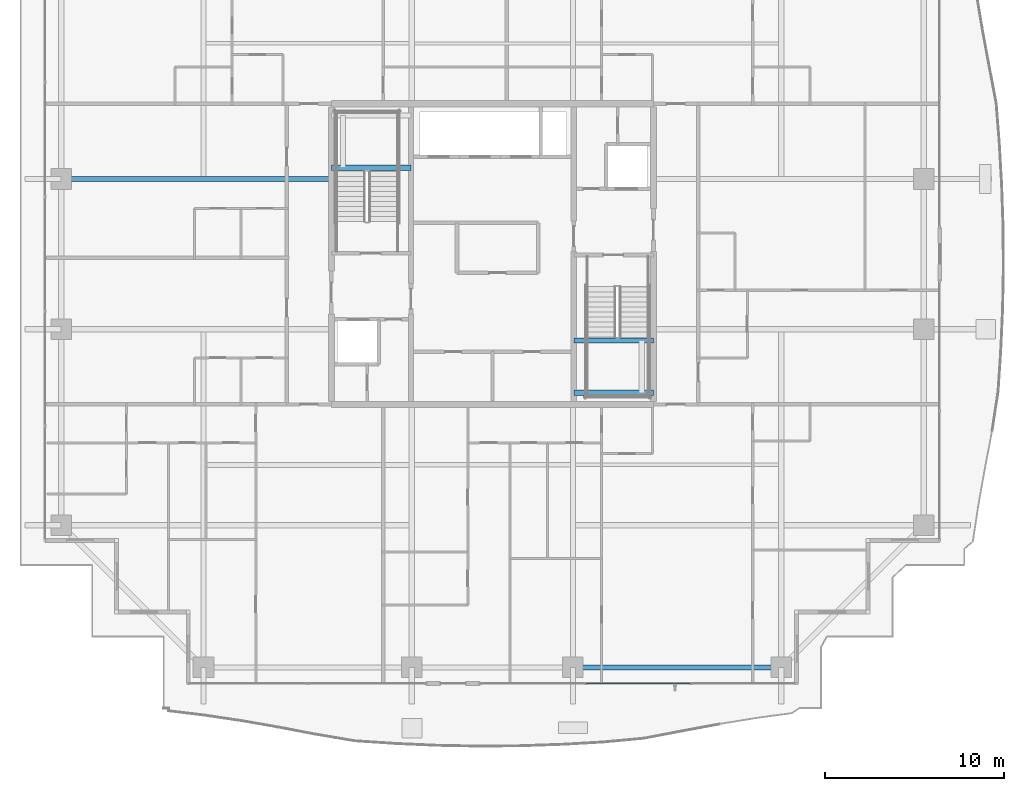
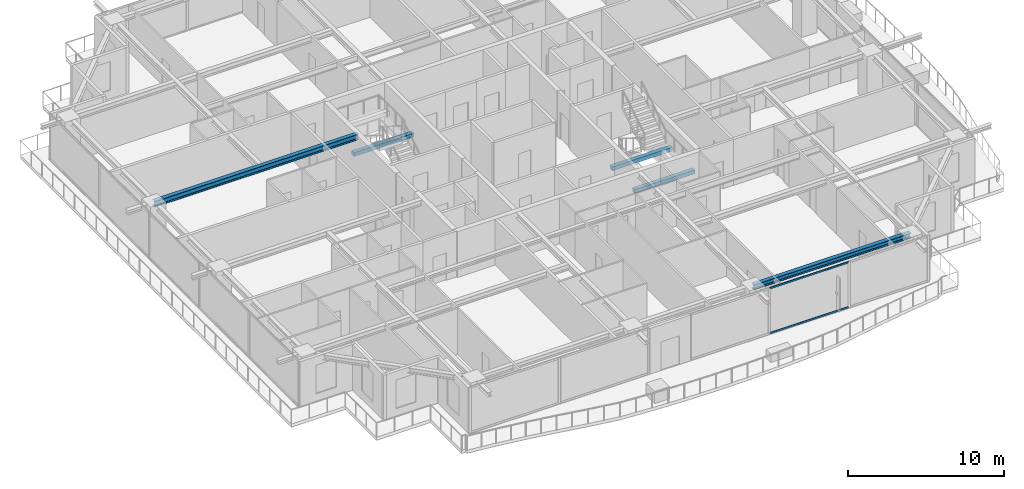
# One storey, part 10 of 37: 5 beams, 2 members, 1 element without a shape of its own.
"""IFC4 building model written with IfcOpenShell, lengths in metres."""

from ifc_helpers import new_model, si_unit, direction, frame, origin, origin_2d, place, context, subcontext, project, spatial, rectangle, hollow_rectangle, i_section, extrude, source, transform, mapped, material, layer, layer_set, material_profile, profile_set, type_object, element, aggregate, save


model = new_model("IFC4")

# Units and contexts
model_context = context("Model", 3, precision=1e-05, world=origin(), true_north=direction((0.0, 1.0)))
body_context = subcontext(model_context, "Body", "Model", "MODEL_VIEW")
ifc_project = project(units=[si_unit("LENGTHUNIT", "METRE"), si_unit("AREAUNIT", "SQUARE_METRE"), si_unit("VOLUMEUNIT", "CUBIC_METRE"), si_unit("PLANEANGLEUNIT", "RADIAN"), si_unit("MASSUNIT", "GRAM", prefix="KILO")], contexts=[model_context])

# Site, building, storey
site_placement = place(None, origin())
site = spatial("IfcSite", under=ifc_project, at=site_placement, CompositionType="ELEMENT")
building_placement = place(site_placement, origin())
building = spatial("IfcBuilding", under=site, at=building_placement, Name="Serunith Strait Residences", CompositionType="ELEMENT")
storey_placement = place(building_placement, frame((0.0, 0.0, 275.89990234375)))
storey = spatial("IfcBuildingStorey", under=building, at=storey_placement, Name="L69", CompositionType="ELEMENT", Elevation=275.89990234375)

# Beams
ifc_material_1 = material(Name="Steel S355J2", Category="steel")
ifc_material_profile_1 = material_profile(ifc_material_1, i_section(OverallWidth=0.300048828125, OverallDepth=0.449951171875, WebThickness=0.013916015625, FlangeThickness=0.02587890625, FilletRadius=0.027099609375, at=origin_2d()), Name="HEB 450")
ifc_profile_set_1 = profile_set([ifc_material_profile_1], Name="Steel S355J2")
beam_type_1 = type_object("IfcBeamType", Name="BM-HEB450", PredefinedType="BEAM", material=ifc_profile_set_1)
shared_shape_1 = source(origin(), body_context, "Body", "SweptSolid", [
    extrude(i_section(OverallWidth=0.300048828125, OverallDepth=0.449951171875, WebThickness=0.013916015625, FlangeThickness=0.02587890625, FilletRadius=0.027099609375, at=origin_2d()), origin(), (0.0, 0.0, 1.0), 15.099853515625),
])
beam_1_placement = place(storey_placement, frame((23.39990234375, 29.39990234375, 3.362060546875), z_axis=(-1.0, 0.0, 0.0), x_axis=(0.0, -1.0, 0.0)))
element("IfcBeam", 1, at=beam_1_placement, inside=storey, type_object=beam_type_1, Name="L69 Primary Floor Girder TC-W3", PredefinedType="BEAM", context=body_context, shape_type="MappedRepresentation", body=[
    mapped(shared_shape_1, transform((0.0, 0.0, 0.0), scale=1.0)),
])
ifc_material_profile_2 = material_profile(ifc_material_1, i_section(OverallWidth=0.300048828125, OverallDepth=0.39990234375, WebThickness=0.013427734375, FlangeThickness=0.02392578125, FilletRadius=0.027099609375, at=origin_2d()), Name="HEB 400")
ifc_profile_set_2 = profile_set([ifc_material_profile_2], Name="Steel S355J2")
beam_type_2 = type_object("IfcBeamType", Name="BM-HEB400", PredefinedType="BEAM", material=ifc_profile_set_2)
shared_shape_2 = source(origin(), body_context, "Body", "SweptSolid", [
    extrude(i_section(OverallWidth=0.300048828125, OverallDepth=0.39990234375, WebThickness=0.013427734375, FlangeThickness=0.02392578125, FilletRadius=0.027099609375, at=origin_2d()), origin(), (0.0, 0.0, 1.0), 11.650146484375),
])
beam_2_placement = place(storey_placement, frame((36.89990234375, 2.10009765625, 3.38720703125), z_axis=(1.0, 0.0, 0.0), x_axis=(0.0, 1.0, 0.0)))
element("IfcBeam", 2, at=beam_2_placement, inside=storey, type_object=beam_type_2, Name="L69 Perimeter Ring Beam 03", PredefinedType="BEAM", context=body_context, shape_type="MappedRepresentation", body=[
    mapped(shared_shape_2, transform((0.0, 0.0, 0.0), scale=1.0)),
])
ifc_material_2 = material(Name="Concrete C60/75", Category="concrete")
ifc_material_profile_3 = material_profile(ifc_material_2, rectangle(XDim=0.300048828125, YDim=0.300048828125, at=origin_2d()), Name="RC 300x300")
ifc_profile_set_3 = profile_set([ifc_material_profile_3], Name="Concrete C60/75")
beam_type_3 = type_object("IfcBeamType", Name="BM-LAND-300x300", PredefinedType="BEAM", material=ifc_profile_set_3)
shared_shape_3 = source(origin(), body_context, "Body", "SweptSolid", [
    extrude(rectangle(XDim=0.300048828125, YDim=0.300048828125, at=origin_2d()), origin(), (0.0, 0.0, 1.0), 4.4501953125),
])
beam_3_placement = place(storey_placement, frame((23.39990234375, 30.030029296875, 1.5751953125), z_axis=(1.0, 0.0, 0.0), x_axis=(0.0, 1.0, 0.0)))
element("IfcBeam", 3, at=beam_3_placement, inside=storey, type_object=beam_type_3, Name="L69 ST-1 Landing Support Beam 1", PredefinedType="BEAM", context=body_context, shape_type="MappedRepresentation", body=[
    mapped(shared_shape_3, transform((0.0, 0.0, 0.0), scale=1.0)),
])
shared_shape_4 = source(origin(), body_context, "Body", "SweptSolid", [
    extrude(rectangle(XDim=0.300048828125, YDim=0.300048828125, at=origin_2d()), origin(), (0.0, 0.0, 1.0), 4.449951171875),
])
for number, where, z_axis, x_axis, name in (
    (4, (36.949951171875, 17.449951171875, 1.5751953125), (1.0, 0.0, 0.0), (0.0, 1.0, 0.0), "L69 ST-2 Landing Support Beam 1"),
    (5, (36.949951171875, 20.3701171875, 1.5751953125), (1.0, 0.0, 0.0), (0.0, 1.0, 0.0), "L69 ST-2 Landing Support Beam 2"),
):
    element("IfcBeam", number, at=place(storey_placement, frame(where, z_axis=z_axis, x_axis=x_axis)), inside=storey, type_object=beam_type_3, Name=name, PredefinedType="BEAM", context=body_context, shape_type="MappedRepresentation", body=[
        mapped(shared_shape_4, transform((0.0, 0.0, 0.0), scale=1.0)),
    ])

# Curtain wall, members
ifc_material_3 = material(Name="Pale-Champagne Anodised Aluminium", Category="aluminium")
ifc_layer = layer(ifc_material_3, 0.199951171875, Name="Pale-Champagne Anodised Aluminium")
ifc_layer_set = layer_set([ifc_layer], Name="Pale-Champagne Anodised Aluminium")
curtain_wall_type = type_object("IfcCurtainWallType", Name="CW-SYS4", PredefinedType="NOTDEFINED", material=ifc_layer_set)
curtain_wall_placement = place(storey_placement, origin())
curtain_wall = element("IfcCurtainWall", 6, at=curtain_wall_placement, inside=storey, type_object=curtain_wall_type, Name="L69 S Unitised Fritted Curtain Wall", PredefinedType="NOTDEFINED")
ifc_material_profile_4 = material_profile(ifc_material_3, hollow_rectangle(XDim=0.06005859375, YDim=0.139892578125, WallThickness=0.00341796875, InnerFilletRadius=0.00537109375, OuterFilletRadius=0.0087890625, at=origin_2d()), Name="ALU 140x60x3.5")
ifc_profile_set_4 = profile_set([ifc_material_profile_4], Name="Pale-Champagne Anodised Aluminium")
member_type = type_object("IfcMemberType", Name="CW-SYS4-TRAN", PredefinedType="USERDEFINED", material=ifc_profile_set_4)
shared_shape_5 = source(origin(), body_context, "Body", "SweptSolid", [
    extrude(hollow_rectangle(XDim=0.06005859375, YDim=0.139892578125, WallThickness=0.00341796875, InnerFilletRadius=0.00537109375, OuterFilletRadius=0.0087890625, at=origin_2d()), origin(), (0.0, 0.0, 1.0), 5.8349609375),
])
member_1_placement = place(storey_placement, frame((37.632568359375, 1.199951171875, 0.030029296875), z_axis=(1.0, 0.0, 0.0), x_axis=(0.0, 1.0, 0.0)))
member_1 = element("IfcMember", 7, at=member_1_placement, type_object=member_type, Name="CW-4 transom 2.1", ObjectType="TRANSOM", PredefinedType="USERDEFINED", context=body_context, shape_type="MappedRepresentation", body=[
    mapped(shared_shape_5, transform((0.0, 0.0, 0.0), scale=1.0)),
])
member_2_placement = place(storey_placement, frame((37.632568359375, 1.199951171875, 3.545166015625), z_axis=(1.0, 0.0, 0.0), x_axis=(0.0, 1.0, 0.0)))
member_2 = element("IfcMember", 8, at=member_2_placement, type_object=member_type, Name="CW-4 transom 2.2", ObjectType="TRANSOM", PredefinedType="USERDEFINED", context=body_context, shape_type="MappedRepresentation", body=[
    mapped(shared_shape_5, transform((0.0, 0.0, 0.0), scale=1.0)),
])
aggregate(curtain_wall, [member_1, member_2])

save(model, "model.ifc")
